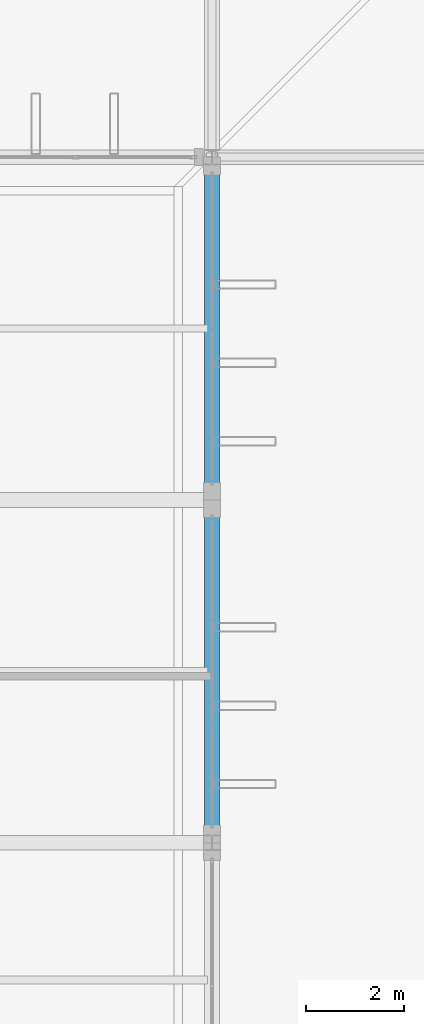
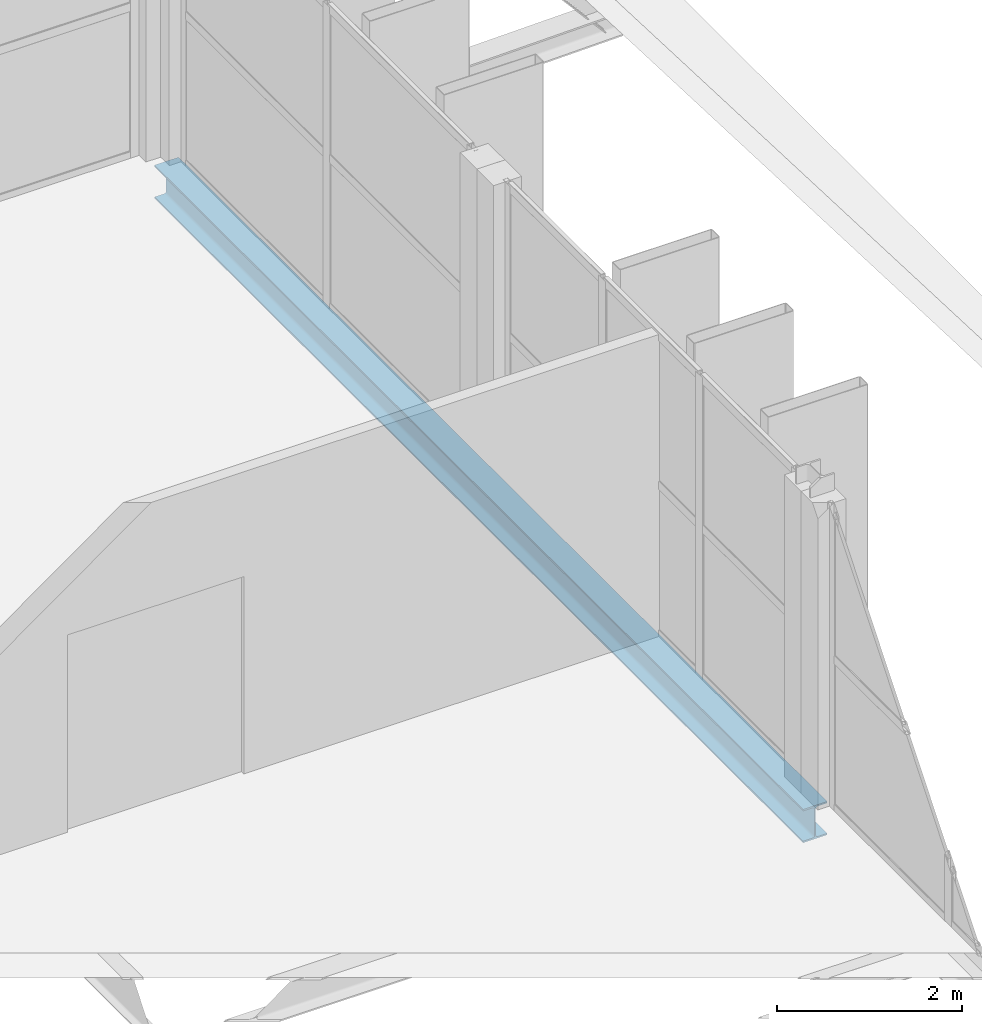
# One storey, part 58 of 93: 1 beam.
"""IFC4 building model written with IfcOpenShell, lengths in metres."""

from ifc_helpers import new_model, si_unit, direction, frame, origin, origin_2d, place, context, subcontext, project, spatial, i_section, extrude, material, material_profile, profile_set, type_object, element, save


model = new_model("IFC4")

# Units and contexts
model_context = context("Model", 3, precision=1e-05, world=origin(), true_north=direction((0.0, 1.0)))
body_context = subcontext(model_context, "Body", "Model", "MODEL_VIEW")
ifc_project = project(units=[si_unit("LENGTHUNIT", "METRE"), si_unit("AREAUNIT", "SQUARE_METRE"), si_unit("VOLUMEUNIT", "CUBIC_METRE"), si_unit("PLANEANGLEUNIT", "RADIAN"), si_unit("MASSUNIT", "GRAM", prefix="KILO")], contexts=[model_context])

# Site, building, storey
site_placement = place(None, origin())
site = spatial("IfcSite", under=ifc_project, at=site_placement, CompositionType="ELEMENT")
building_placement = place(site_placement, origin())
building = spatial("IfcBuilding", under=site, at=building_placement, Name="Vekula Escarpment Museum", CompositionType="ELEMENT")
storey_placement = place(building_placement, frame((0.0, 0.0, 22.199951171875)))
storey = spatial("IfcBuildingStorey", under=building, at=storey_placement, Name="L05", CompositionType="ELEMENT", Elevation=22.199951171875)

# Beam
ifc_material = material(Name="Steel S355", Category="steel")
ifc_material_profile = material_profile(ifc_material, i_section(OverallWidth=0.300048828125, OverallDepth=0.43994140625, WebThickness=0.011474609375, FlangeThickness=0.02099609375, FilletRadius=0.027099609375, at=origin_2d()), Name="HEA 450")
ifc_profile_set = profile_set([ifc_material_profile], Name="Steel S355")
beam_type = type_object("IfcBeamType", Name="BM-SPAN-HEA450", PredefinedType="SPANDREL", material=ifc_profile_set)
beam_placement = place(storey_placement, frame((126.0, 76.39990234375, -0.43994140625), z_axis=(0.0, 1.0, 0.0), x_axis=(-1.0, 0.0, 0.0)))
element("IfcBeam", 1, at=beam_placement, inside=storey, type_object=beam_type, Name="Beam Y L05 2153", PredefinedType="SPANDREL", context=body_context, shape_type="SweptSolid", body=[
    extrude(i_section(OverallWidth=0.300048828125, OverallDepth=0.43994140625, WebThickness=0.011474609375, FlangeThickness=0.02099609375, FilletRadius=0.027099609375, at=origin_2d()), origin(), (0.0, 0.0, 1.0), 14.0),
])

save(model, "model.ifc")
